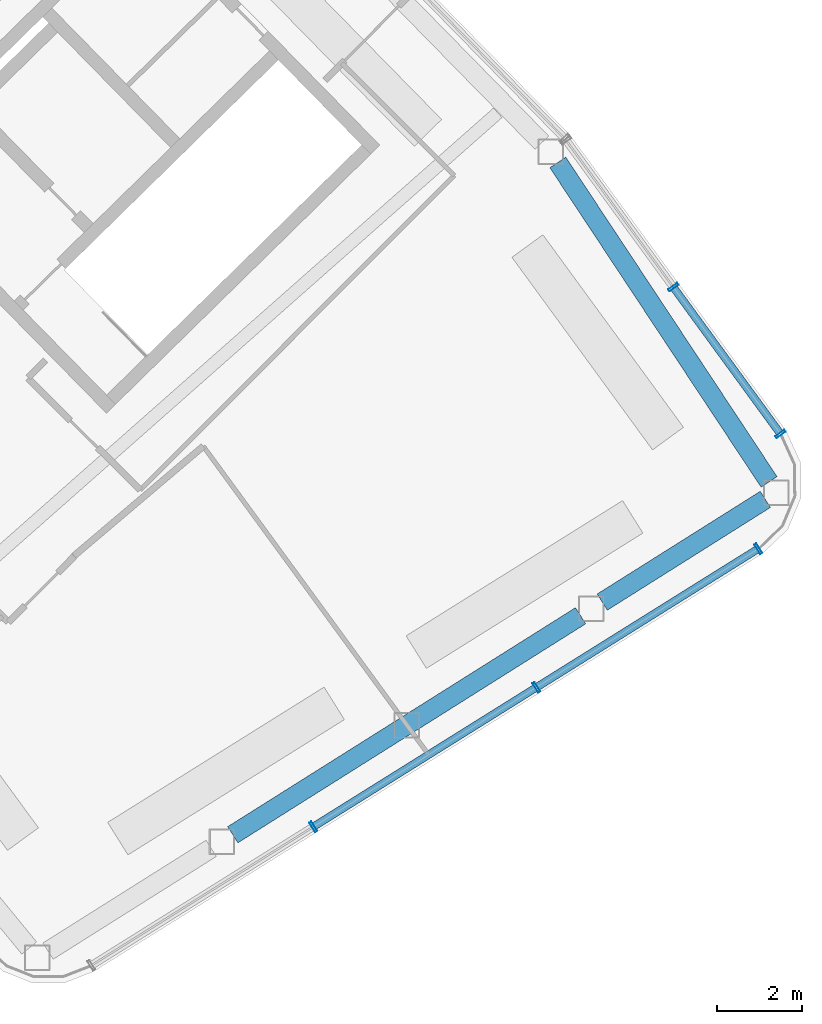
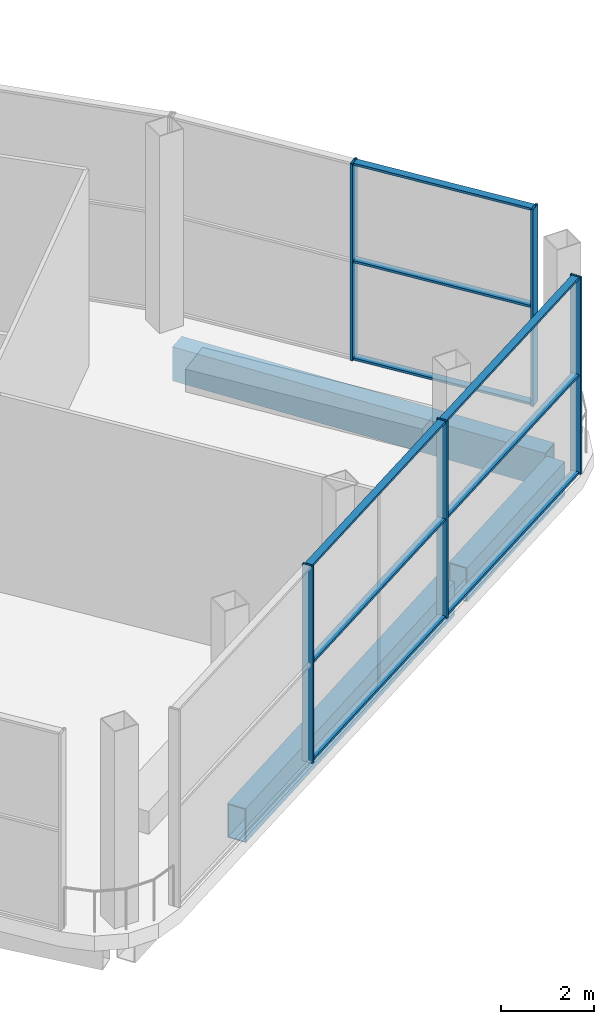
# One storey, part 25 of 44: 14 members, 3 beams, 2 elements without a shape of their own.
"""IFC4 building model written with IfcOpenShell, lengths in metres."""

from ifc_helpers import new_model, si_unit, direction, frame, origin, origin_2d, place, context, subcontext, project, spatial, hollow_rectangle, extrude, material, layer, layer_set, material_profile, profile_set, type_object, element, aggregate, save


model = new_model("IFC4")

# Units and contexts
model_context = context("Model", 3, precision=1e-05, world=origin(), true_north=direction((0.0, 1.0)))
body_context = subcontext(model_context, "Body", "Model", "MODEL_VIEW")
ifc_project = project(units=[si_unit("LENGTHUNIT", "METRE"), si_unit("AREAUNIT", "SQUARE_METRE"), si_unit("VOLUMEUNIT", "CUBIC_METRE"), si_unit("PLANEANGLEUNIT", "RADIAN"), si_unit("MASSUNIT", "GRAM", prefix="KILO")], contexts=[model_context])

# Site, building, storey
site_placement = place(None, origin())
site = spatial("IfcSite", under=ifc_project, at=site_placement, CompositionType="ELEMENT")
building_placement = place(site_placement, origin())
building = spatial("IfcBuilding", under=site, at=building_placement, Name="Tuul Gate Civic Tower", CompositionType="ELEMENT")
storey_placement = place(building_placement, frame((0.0, 0.0, 354.60009765625)))
storey = spatial("IfcBuildingStorey", under=building, at=storey_placement, Name="Observation level 2", CompositionType="ELEMENT", Elevation=354.60009765625)

# Curtain wall, members
ifc_material_1 = material(Name="Stainless steel", Category="steel")
ifc_layer = layer(ifc_material_1, 0.199951171875)
ifc_layer_set = layer_set([ifc_layer], Name="Stainless steel")
curtain_wall_type = type_object("IfcCurtainWallType", Name="Curtain wall CW4", PredefinedType="NOTDEFINED", material=ifc_layer_set)
curtain_wall_1_placement = place(storey_placement, origin())
curtain_wall_1 = element("IfcCurtainWall", 1, at=curtain_wall_1_placement, inside=storey, type_object=curtain_wall_type, Name="Curtain wall CW4", PredefinedType="NOTDEFINED")
ifc_material_2 = material(Name="Stainless steel", Category="steel")
ifc_material_profile_1 = material_profile(ifc_material_2, hollow_rectangle(XDim=0.260009765625, YDim=0.06005859375, WallThickness=0.006103515625, at=origin_2d()), Name="CW4 mullion")
ifc_profile_set_1 = profile_set([ifc_material_profile_1], Name="Stainless steel")
member_type_1 = type_object("IfcMemberType", Name="CW4 mullion", PredefinedType="MULLION", material=ifc_profile_set_1)
member_1_placement = place(storey_placement, frame((63.96435546875, -18.919677734375, 0.0), z_axis=(0.0, 0.0, 1.0), x_axis=(-0.807578487079, -0.589760109881, 0.0)))
member_1 = element("IfcMember", 2, at=member_1_placement, type_object=member_type_1, Name="Mullion", PredefinedType="MULLION", context=body_context, shape_type="SweptSolid", body=[
    extrude(hollow_rectangle(XDim=0.260009765625, YDim=0.06005859375, WallThickness=0.006103515625, at=origin_2d()), origin(), (0.0, 0.0, 1.0), 5.199951171875),
])
member_2_placement = place(storey_placement, frame((61.445068359375, -15.469970703125, 0.0), z_axis=(0.0, 0.0, 1.0), x_axis=(-0.807578487079, -0.589760109881, 0.0)))
member_2 = element("IfcMember", 3, at=member_2_placement, type_object=member_type_1, Name="Mullion", PredefinedType="MULLION", context=body_context, shape_type="SweptSolid", body=[
    extrude(hollow_rectangle(XDim=0.260009765625, YDim=0.06005859375, WallThickness=0.006103515625, at=origin_2d()), origin(), (0.0, 0.0, 1.0), 5.199951171875),
])

curtain_wall_2_placement = place(storey_placement, origin())
curtain_wall_2 = element("IfcCurtainWall", 4, at=curtain_wall_2_placement, inside=storey, type_object=curtain_wall_type, Name="Curtain wall CW4", PredefinedType="NOTDEFINED")
member_3_placement = place(storey_placement, frame((52.982421875, -28.15673828125, 0.0), z_axis=(0.0, 0.0, 1.0), x_axis=(-0.529911707044, 0.848052818366, 0.0)))
member_3 = element("IfcMember", 5, at=member_3_placement, type_object=member_type_1, Name="Mullion", PredefinedType="MULLION", context=body_context, shape_type="SweptSolid", body=[
    extrude(hollow_rectangle(XDim=0.260009765625, YDim=0.06005859375, WallThickness=0.006103515625, at=origin_2d()), origin(), (0.0, 0.0, 1.0), 5.199951171875),
])
member_4_placement = place(storey_placement, frame((58.2255859375, -24.88037109375, 0.0), z_axis=(0.0, 0.0, 1.0), x_axis=(-0.529911707044, 0.848052818366, 0.0)))
member_4 = element("IfcMember", 6, at=member_4_placement, type_object=member_type_1, Name="Mullion", PredefinedType="MULLION", context=body_context, shape_type="SweptSolid", body=[
    extrude(hollow_rectangle(XDim=0.260009765625, YDim=0.06005859375, WallThickness=0.006103515625, at=origin_2d()), origin(), (0.0, 0.0, 1.0), 5.199951171875),
])
member_5_placement = place(storey_placement, frame((63.443603515625, -21.619873046875, 0.0), z_axis=(0.0, 0.0, 1.0), x_axis=(-0.529911707044, 0.848052818366, 0.0)))
member_5 = element("IfcMember", 7, at=member_5_placement, type_object=member_type_1, Name="Mullion", PredefinedType="MULLION", context=body_context, shape_type="SweptSolid", body=[
    extrude(hollow_rectangle(XDim=0.260009765625, YDim=0.06005859375, WallThickness=0.006103515625, at=origin_2d()), origin(), (0.0, 0.0, 1.0), 5.199951171875),
])

# Member
ifc_material_3 = material(Name="Stainless steel", Category="steel")
ifc_material_profile_2 = material_profile(ifc_material_3, hollow_rectangle(XDim=0.179931640625, YDim=0.06005859375, WallThickness=0.006103515625, at=origin_2d()), Name="CW4 transom")
ifc_profile_set_2 = profile_set([ifc_material_profile_2], Name="Stainless steel")
member_type_2 = type_object("IfcMemberType", Name="CW4 transom", PredefinedType="USERDEFINED", material=ifc_profile_set_2)
member_6_placement = place(storey_placement, frame((63.946533203125, -18.8955078125, 0.02978515625), z_axis=(-0.589749140604, 0.807586497631, 0.0), x_axis=(-0.807586497631, -0.589749140604, 0.0)))
member_6 = element("IfcMember", 8, at=member_6_placement, type_object=member_type_2, Name="Transom", ObjectType="TRANSOM", PredefinedType="USERDEFINED", context=body_context, shape_type="SweptSolid", body=[
    extrude(hollow_rectangle(XDim=0.179931640625, YDim=0.06005859375, WallThickness=0.006103515625, at=origin_2d()), origin(), (0.0, 0.0, 1.0), 4.211669921875),
])

member_7_placement = place(storey_placement, frame((63.946533203125, -18.8955078125, 2.599853515625), z_axis=(-0.589749140604, 0.807586497631, 0.0), x_axis=(-0.807586497631, -0.589749140604, 0.0)))
member_7 = element("IfcMember", 9, at=member_7_placement, type_object=member_type_2, Name="Transom", ObjectType="TRANSOM", PredefinedType="USERDEFINED", context=body_context, shape_type="SweptSolid", body=[
    extrude(hollow_rectangle(XDim=0.179931640625, YDim=0.06005859375, WallThickness=0.006103515625, at=origin_2d()), origin(), (0.0, 0.0, 1.0), 4.211669921875),
])

member_8_placement = place(storey_placement, frame((63.946533203125, -18.8955078125, 5.169921875), z_axis=(-0.589749140604, 0.807586497631, 0.0), x_axis=(-0.807586497631, -0.589749140604, 0.0)))
member_8 = element("IfcMember", 10, at=member_8_placement, type_object=member_type_2, Name="Transom", ObjectType="TRANSOM", PredefinedType="USERDEFINED", context=body_context, shape_type="SweptSolid", body=[
    extrude(hollow_rectangle(XDim=0.179931640625, YDim=0.06005859375, WallThickness=0.006103515625, at=origin_2d()), origin(), (0.0, 0.0, 1.0), 4.211669921875),
])

aggregate(curtain_wall_1, [member_1, member_2, member_6, member_7, member_8])

member_9_placement = place(storey_placement, frame((53.0078125, -28.140869140625, 0.02978515625), z_axis=(0.848043103374, 0.529927254271, 0.0), x_axis=(-0.529927254271, 0.848043103374, 0.0)))
member_9 = element("IfcMember", 11, at=member_9_placement, type_object=member_type_2, Name="Transom", ObjectType="TRANSOM", PredefinedType="USERDEFINED", context=body_context, shape_type="SweptSolid", body=[
    extrude(hollow_rectangle(XDim=0.179931640625, YDim=0.06005859375, WallThickness=0.006103515625, at=origin_2d()), origin(), (0.0, 0.0, 1.0), 6.122802734375),
])

member_10_placement = place(storey_placement, frame((53.0078125, -28.140869140625, 2.599853515625), z_axis=(0.848043103374, 0.529927254271, 0.0), x_axis=(-0.529927254271, 0.848043103374, 0.0)))
member_10 = element("IfcMember", 12, at=member_10_placement, type_object=member_type_2, Name="Transom", ObjectType="TRANSOM", PredefinedType="USERDEFINED", context=body_context, shape_type="SweptSolid", body=[
    extrude(hollow_rectangle(XDim=0.179931640625, YDim=0.06005859375, WallThickness=0.006103515625, at=origin_2d()), origin(), (0.0, 0.0, 1.0), 6.122802734375),
])

member_11_placement = place(storey_placement, frame((53.0078125, -28.140869140625, 5.169921875), z_axis=(0.848043103374, 0.529927254271, 0.0), x_axis=(-0.529927254271, 0.848043103374, 0.0)))
member_11 = element("IfcMember", 13, at=member_11_placement, type_object=member_type_2, Name="Transom", ObjectType="TRANSOM", PredefinedType="USERDEFINED", context=body_context, shape_type="SweptSolid", body=[
    extrude(hollow_rectangle(XDim=0.179931640625, YDim=0.06005859375, WallThickness=0.006103515625, at=origin_2d()), origin(), (0.0, 0.0, 1.0), 6.122802734375),
])

member_12_placement = place(storey_placement, frame((58.251220703125, -24.864501953125, 0.02978515625), z_axis=(0.848043323515, 0.529926901979, 0.0), x_axis=(-0.529926901979, 0.848043323515, 0.0)))
member_12 = element("IfcMember", 14, at=member_12_placement, type_object=member_type_2, Name="Transom", ObjectType="TRANSOM", PredefinedType="USERDEFINED", context=body_context, shape_type="SweptSolid", body=[
    extrude(hollow_rectangle(XDim=0.179931640625, YDim=0.06005859375, WallThickness=0.006103515625, at=origin_2d()), origin(), (0.0, 0.0, 1.0), 6.0927734375),
])

member_13_placement = place(storey_placement, frame((58.251220703125, -24.864501953125, 2.599853515625), z_axis=(0.848043323515, 0.529926901979, 0.0), x_axis=(-0.529926901979, 0.848043323515, 0.0)))
member_13 = element("IfcMember", 15, at=member_13_placement, type_object=member_type_2, Name="Transom", ObjectType="TRANSOM", PredefinedType="USERDEFINED", context=body_context, shape_type="SweptSolid", body=[
    extrude(hollow_rectangle(XDim=0.179931640625, YDim=0.06005859375, WallThickness=0.006103515625, at=origin_2d()), origin(), (0.0, 0.0, 1.0), 6.0927734375),
])

member_14_placement = place(storey_placement, frame((58.251220703125, -24.864501953125, 5.169921875), z_axis=(0.848043323515, 0.529926901979, 0.0), x_axis=(-0.529926901979, 0.848043323515, 0.0)))
member_14 = element("IfcMember", 16, at=member_14_placement, type_object=member_type_2, Name="Transom", ObjectType="TRANSOM", PredefinedType="USERDEFINED", context=body_context, shape_type="SweptSolid", body=[
    extrude(hollow_rectangle(XDim=0.179931640625, YDim=0.06005859375, WallThickness=0.006103515625, at=origin_2d()), origin(), (0.0, 0.0, 1.0), 6.0927734375),
])

aggregate(curtain_wall_2, [member_3, member_4, member_5, member_9, member_10, member_11, member_12, member_13, member_14])

# Beams
ifc_material_4 = material(Name="Steel S355", Category="steel")
ifc_material_profile_3 = material_profile(ifc_material_4, hollow_rectangle(XDim=0.449951171875, YDim=0.89990234375, WallThickness=0.02490234375, at=origin_2d()), Name="BOX900x450x25")
ifc_profile_set_3 = profile_set([ifc_material_profile_3], Name="Steel S355")
beam_type = type_object("IfcBeamType", Name="STR-SPANDREL BEAM-BOX900x450x25", PredefinedType="BEAM", material=ifc_profile_set_3)
beam_1_placement = place(storey_placement, frame((63.697509765625, -20.0498046875, -0.85009765625), z_axis=(-0.551649794693, 0.834075838288, 0.0), x_axis=(-0.834075838288, -0.551649794693, 0.0)))
element("IfcBeam", 17, at=beam_1_placement, inside=storey, type_object=beam_type, Name="Spandrel beam", PredefinedType="BEAM", context=body_context, shape_type="SweptSolid", body=[
    extrude(hollow_rectangle(XDim=0.449951171875, YDim=0.89990234375, WallThickness=0.02490234375, at=origin_2d()), origin(), (0.0, 0.0, 1.0), 9.005859375),
])
beam_2_placement = place(storey_placement, frame((51.0888671875, -28.34423828125, -0.85009765625), z_axis=(0.846196555074, 0.532870894477, 0.0), x_axis=(-0.532870894477, 0.846196555074, 0.0)))
element("IfcBeam", 18, at=beam_2_placement, inside=storey, type_object=beam_type, Name="Spandrel beam", PredefinedType="BEAM", context=body_context, shape_type="SweptSolid", body=[
    extrude(hollow_rectangle(XDim=0.449951171875, YDim=0.89990234375, WallThickness=0.02490234375, at=origin_2d()), origin(), (0.0, 0.0, 1.0), 9.66357421875),
])
beam_3_placement = place(storey_placement, frame((59.77392578125, -22.875244140625, -0.85009765625), z_axis=(0.846180663287, 0.532896129728, 0.0), x_axis=(-0.532896129728, 0.846180663287, 0.0)))
element("IfcBeam", 19, at=beam_3_placement, inside=storey, type_object=beam_type, Name="Spandrel beam", PredefinedType="BEAM", context=body_context, shape_type="SweptSolid", body=[
    extrude(hollow_rectangle(XDim=0.449951171875, YDim=0.89990234375, WallThickness=0.02490234375, at=origin_2d()), origin(), (0.0, 0.0, 1.0), 4.532470703125),
])

save(model, "model.ifc")
